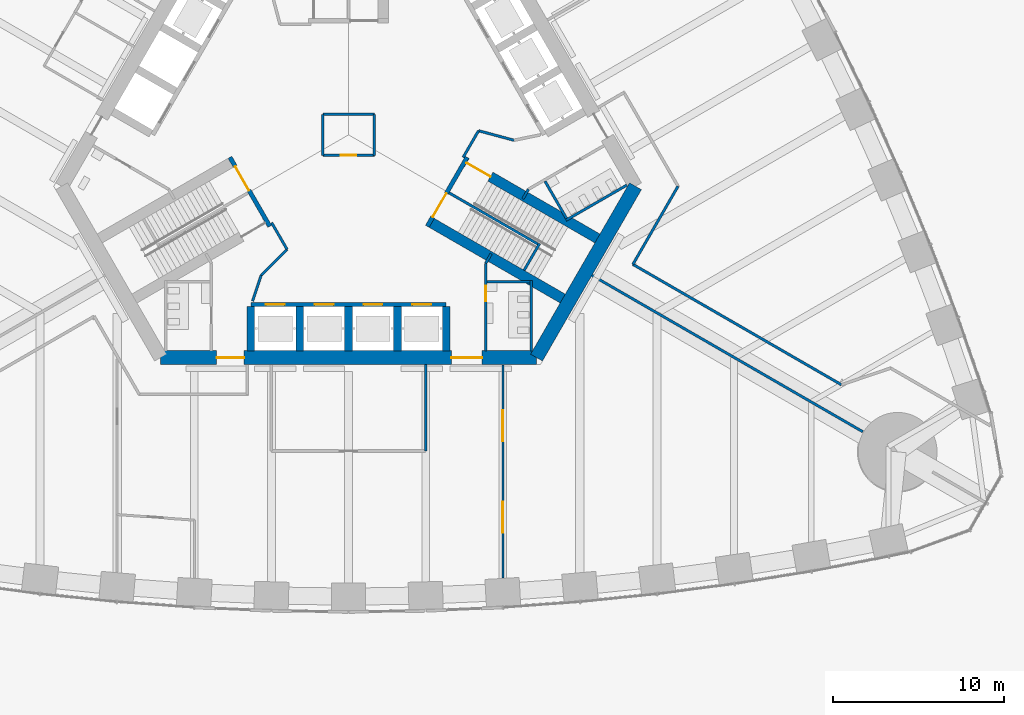
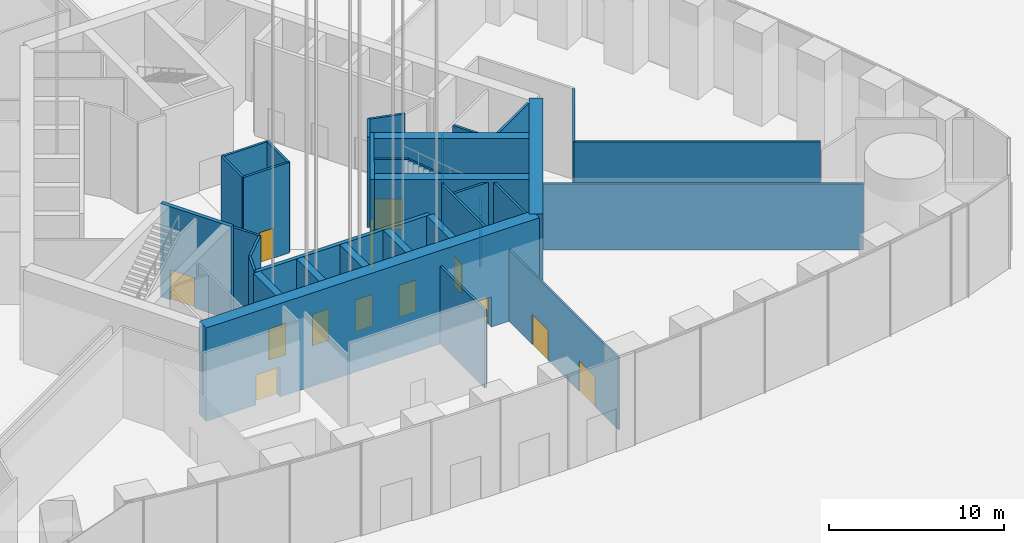
# One storey, part 17 of 43: 35 walls, 13 doors, 13 openings.
"""IFC4 building model written with IfcOpenShell, lengths in metres."""

from ifc_helpers import new_model, si_unit, direction, frame, frame_2d, origin, place, context, subcontext, project, spatial, polyline, rectangle, outline, extrude, material, layer, layer_set, type_object, element, fill, save


model = new_model("IFC4")

# Units and contexts
model_context = context("Model", 3, precision=1e-05, world=origin(), true_north=direction((0.0, 1.0)))
body_context = subcontext(model_context, "Body", "Model", "MODEL_VIEW")
ifc_project = project(units=[si_unit("LENGTHUNIT", "METRE"), si_unit("AREAUNIT", "SQUARE_METRE"), si_unit("VOLUMEUNIT", "CUBIC_METRE"), si_unit("PLANEANGLEUNIT", "RADIAN"), si_unit("MASSUNIT", "GRAM", prefix="KILO")], contexts=[model_context])

# Site, building, storey
site_placement = place(None, origin())
site = spatial("IfcSite", under=ifc_project, at=site_placement, CompositionType="ELEMENT")
building_placement = place(site_placement, origin())
building = spatial("IfcBuilding", under=site, at=building_placement, Name="Trefoil Bronze Tower", CompositionType="ELEMENT")
storey_placement = place(building_placement, origin())
storey = spatial("IfcBuildingStorey", under=building, at=storey_placement, Name="L00", CompositionType="ELEMENT", Elevation=0.0)

# Wall, openings, doors
ifc_material_1 = material(Name="Concrete B80", Category="concrete")
ifc_layer_1 = layer(ifc_material_1, 0.800048828125)
ifc_layer_set_1 = layer_set([ifc_layer_1], Name="Core wall 800")
wall_type_1 = type_object("IfcWallType", Name="Core wall 800", PredefinedType="SHEAR", material=ifc_layer_set_1)
wall_1_placement = place(storey_placement, frame((-10.9697265625, -13.0, 0.0), z_axis=(0.0, 0.0, 1.0), x_axis=(1.0, 0.0, 0.0)))
wall_1 = element("IfcWall", 1, at=wall_1_placement, inside=storey, type_object=wall_type_1, Name="Core long wall 1 L00", PredefinedType="SHEAR", context=body_context, shape_type="SweptSolid", body=[
    extrude(rectangle(XDim=21.939453125, YDim=0.800048828125, at=frame_2d((10.9697265625, 0.0))), origin(), (0.0, 0.0, 1.0), 6.5),
])
opening_1_placement = place(wall_1_placement, frame((16.9697265625, 0.0, 0.0)))
opening_1 = element("IfcOpeningElement", 2, at=opening_1_placement, cuts=wall_1, Name="Opening D6", PredefinedType="OPENING", context=body_context, shape_type="SweptSolid", body=[
    extrude(rectangle(XDim=1.800048828125, YDim=2.10009765625, at=frame_2d((0.89990234375, 1.050048828125))), frame((0.0, 0.409912109375, 0.0), z_axis=(0.0, -1.0, 0.0), x_axis=(1.0, 0.0, 0.0)), (0.0, 0.0, 1.0), 0.820068359375),
])
opening_2_placement = place(wall_1_placement, frame((3.269775390625, 0.0, 0.0)))
opening_2 = element("IfcOpeningElement", 3, at=opening_2_placement, cuts=wall_1, Name="Opening D7", PredefinedType="OPENING", context=body_context, shape_type="SweptSolid", body=[
    extrude(rectangle(XDim=1.60009765625, YDim=2.10009765625, at=frame_2d((0.800048828125, 1.050048828125))), frame((0.0, 0.409912109375, 0.0), z_axis=(0.0, -1.0, 0.0), x_axis=(1.0, 0.0, 0.0)), (0.0, 0.0, 1.0), 0.820068359375),
])
ifc_material_2 = material(Name="Steel door", Category="steel")
door_type_1 = type_object("IfcDoorType", Name="Exit passage door 1600", OperationType="DOUBLE_DOOR_SINGLE_SWING", PredefinedType="DOOR", material=ifc_material_2)
door_1_placement = place(opening_2_placement, frame((1.60009765625, 0.0, 0.0), z_axis=(0.0, 0.0, 1.0), x_axis=(-1.0, 0.0, 0.0)))
door_1 = element("IfcDoor", 4, at=door_1_placement, inside=storey, type_object=door_type_1, Name="Exit passage door ST3", OperationType="DOUBLE_DOOR_SINGLE_SWING", OverallHeight=2.10009765625, OverallWidth=1.60009765625, PredefinedType="DOOR", context=body_context, shape_type="SweptSolid", body=[
    extrude(rectangle(XDim=1.60009765625, YDim=2.10009765625, at=frame_2d((0.800048828125, 1.050048828125))), frame((0.0, 0.02490234375, 0.0), z_axis=(0.0, -1.0, 0.0), x_axis=(1.0, 0.0, 0.0)), (0.0, 0.0, 1.0), 0.050048828125),
])
fill(opening_2, door_1)
ifc_material_3 = material(Name="Steel door", Category="steel")
door_type_2 = type_object("IfcDoorType", Name="Lobby door 1800", OperationType="DOUBLE_DOOR_SINGLE_SWING", PredefinedType="DOOR", material=ifc_material_3)
door_2_placement = place(opening_1_placement, frame((1.800048828125, 0.0, 0.0), z_axis=(0.0, 0.0, 1.0), x_axis=(-1.0, 0.0, 0.0)))
door_2 = element("IfcDoor", 5, at=door_2_placement, inside=storey, type_object=door_type_2, Name="Lobby door F1+ L00", OperationType="DOUBLE_DOOR_SINGLE_SWING", OverallHeight=2.10009765625, OverallWidth=1.800048828125, PredefinedType="DOOR", context=body_context, shape_type="SweptSolid", body=[
    extrude(rectangle(XDim=1.800048828125, YDim=2.10009765625, at=frame_2d((0.89990234375, 1.050048828125))), frame((0.0, 0.02490234375, 0.0), z_axis=(0.0, -1.0, 0.0), x_axis=(1.0, 0.0, 0.0)), (0.0, 0.0, 1.0), 0.050048828125),
])
fill(opening_1, door_2)

# Walls
wall_2_placement = place(storey_placement, frame((10.9697265625, -13.0, 0.0), z_axis=(0.0, 0.0, 1.0), x_axis=(0.499995765644, 0.866027848477, 0.0)))
element("IfcWall", 6, at=wall_2_placement, inside=storey, type_object=wall_type_1, Name="Core short wall 1 L00", PredefinedType="SHEAR", context=body_context, shape_type="SweptSolid", body=[
    extrude(rectangle(XDim=11.546875, YDim=0.800048828125, at=frame_2d((5.7734375, 0.0))), origin(), (0.0, 0.0, 1.0), 6.5),
])
ifc_material_4 = material(Name="Gypsum board on steel studs", Category="steel")
ifc_layer_2 = layer(ifc_material_4, 0.14990234375)
ifc_layer_set_2 = layer_set([ifc_layer_2], Name="Fire partition 150")
wall_type_2 = type_object("IfcWallType", Name="Fire partition 150", PredefinedType="PARTITIONING", material=ifc_layer_set_2)
wall_3_placement = place(storey_placement, frame((4.5, -18.449951171875, 0.0), z_axis=(0.0, 0.0, 1.0), x_axis=(0.0, 1.0, 0.0)))
element("IfcWall", 7, at=wall_3_placement, inside=storey, type_object=wall_type_2, Name="Fire command centre wall", PredefinedType="PARTITIONING", context=body_context, shape_type="SweptSolid", body=[
    extrude(rectangle(XDim=5.050048828125, YDim=0.14990234375, at=frame_2d((2.52490234375, 0.0))), origin(), (0.0, 0.0, 1.0), 5.39990234375),
])
wall_4_placement = place(storey_placement, frame((5.867431640625, -3.387451171875, 0.0), z_axis=(0.0, 0.0, 1.0), x_axis=(0.866014108153, -0.500019564097, 0.0)))
element("IfcWall", 8, at=wall_4_placement, inside=storey, type_object=wall_type_2, Name="Basement stair partition ST1", PredefinedType="PARTITIONING", context=body_context, shape_type="SweptSolid", body=[
    extrude(outline(polyline([(0.0, 0.0), (5.974853515625, 0.0), (5.97509765625, 4.013916015625), (1.9658203125, 6.300048828125), (0.0, 6.300048828125), (0.0, 0.0)])), frame((0.0, 0.074951171875, 0.0), z_axis=(0.0, -1.0, 0.0), x_axis=(1.0, 0.0, 0.0)), (0.0, 0.0, 1.0), 0.14990234375),
])
wall_5_placement = place(storey_placement, frame((10.244384765625, -7.906494140625, 0.0), z_axis=(0.0, 0.0, 1.0), x_axis=(0.499961193289, 0.866047807691, 0.0)))
element("IfcWall", 9, at=wall_5_placement, inside=storey, type_object=wall_type_2, Name="Basement stair partition ST1", PredefinedType="PARTITIONING", context=body_context, shape_type="SweptSolid", body=[
    extrude(rectangle(XDim=1.800048828125, YDim=0.14990234375, at=frame_2d((0.89990234375, 0.0))), origin(), (0.0, 0.0, 1.0), 3.57470703125),
])
wall_6_placement = place(storey_placement, frame((6.685791015625, -1.31982421875, 0.0), z_axis=(0.0, 0.0, 1.0), x_axis=(0.500062916607, 0.865989075817, 0.0)))
element("IfcWall", 10, at=wall_6_placement, inside=storey, type_object=wall_type_2, Name="Exit lobby wall ST1", PredefinedType="PARTITIONING", context=body_context, shape_type="SweptSolid", body=[
    extrude(rectangle(XDim=1.800048828125, YDim=0.14990234375, at=frame_2d((0.89990234375, 0.0))), origin(), (0.0, 0.0, 1.0), 6.300048828125),
])
wall_7_placement = place(storey_placement, frame((7.5859375, 0.239013671875, 0.0), z_axis=(0.0, 0.0, 1.0), x_axis=(0.965664233544, -0.259793356447, 0.0)))
element("IfcWall", 11, at=wall_7_placement, inside=storey, type_object=wall_type_2, Name="Exit lobby wall ST1", PredefinedType="PARTITIONING", context=body_context, shape_type="SweptSolid", body=[
    extrude(rectangle(XDim=2.138916015625, YDim=0.14990234375, at=frame_2d((1.0693359375, 0.0))), origin(), (0.0, 0.0, 1.0), 6.300048828125),
])
wall_8_placement = place(storey_placement, frame((19.225830078125, -3.0, 0.0), z_axis=(0.0, 0.0, 1.0), x_axis=(-0.500014132739, -0.86601724409, 0.0)))
element("IfcWall", 12, at=wall_8_placement, inside=storey, type_object=wall_type_2, Name="Exit passage wall ST1", PredefinedType="PARTITIONING", context=body_context, shape_type="SweptSolid", body=[
    extrude(rectangle(XDim=5.264892578125, YDim=0.14990234375, at=frame_2d((2.63232421875, 0.0))), origin(), (0.0, 0.0, 1.0), 6.300048828125),
])
wall_9_placement = place(storey_placement, frame((16.59326171875, -7.5595703125, 0.0), z_axis=(0.0, 0.0, 1.0), x_axis=(0.86602961784, -0.499992700971, 0.0)))
element("IfcWall", 13, at=wall_9_placement, inside=storey, type_object=wall_type_2, Name="Exit passage wall ST1", PredefinedType="PARTITIONING", context=body_context, shape_type="SweptSolid", body=[
    extrude(rectangle(XDim=14.050048828125, YDim=0.14990234375, at=frame_2d((7.02490234375, 0.0))), origin(), (0.0, 0.0, 1.0), 6.300048828125),
])
wall_10_placement = place(storey_placement, frame((-4.48583984375, -5.13037109375, 0.0), z_axis=(0.0, 0.0, 1.0), x_axis=(0.499961193289, -0.866047807691, 0.0)))
element("IfcWall", 14, at=wall_10_placement, inside=storey, type_object=wall_type_2, Name="Exit lobby wall ST3", PredefinedType="PARTITIONING", context=body_context, shape_type="SweptSolid", body=[
    extrude(rectangle(XDim=1.800048828125, YDim=0.14990234375, at=frame_2d((0.89990234375, 0.0))), origin(), (0.0, 0.0, 1.0), 6.300048828125),
])
wall_11_placement = place(storey_placement, frame((-3.5859375, -6.689208984375, 0.0), z_axis=(0.0, 0.0, 1.0), x_axis=(-0.707905319983, -0.706307339577, 0.0)))
element("IfcWall", 15, at=wall_11_placement, inside=storey, type_object=wall_type_2, Name="Exit lobby wall ST3", PredefinedType="PARTITIONING", context=body_context, shape_type="SweptSolid", body=[
    extrude(rectangle(XDim=2.138916015625, YDim=0.14990234375, at=frame_2d((1.0693359375, 0.0))), origin(), (0.0, 0.0, 1.0), 6.300048828125),
])
wall_12_placement = place(storey_placement, frame((-5.10009765625, -8.199951171875, 0.0), z_axis=(0.0, 0.0, 1.0), x_axis=(-0.316227766017, -0.948683298051, 0.0)))
element("IfcWall", 16, at=wall_12_placement, inside=storey, type_object=wall_type_2, Name="Exit lobby wall ST3", PredefinedType="PARTITIONING", context=body_context, shape_type="SweptSolid", body=[
    extrude(rectangle(XDim=1.5810546875, YDim=0.14990234375, at=frame_2d((0.79052734375, 0.0))), origin(), (0.0, 0.0, 1.0), 6.300048828125),
])

# Wall, openings, doors
ifc_material_5 = material(Name="Glazed partition", Category="glass")
ifc_layer_3 = layer(ifc_material_5, 0.1201171875)
ifc_layer_set_3 = layer_set([ifc_layer_3], Name="Glazed partition 120")
wall_type_3 = type_object("IfcWallType", Name="Glazed partition 120", PredefinedType="PARTITIONING", material=ifc_layer_set_3)
wall_13_placement = place(storey_placement, frame((9.0, -13.419921875, 0.0), z_axis=(0.0, 0.0, 1.0), x_axis=(0.0, -1.0, 0.0)))
wall_13 = element("IfcWall", 17, at=wall_13_placement, inside=storey, type_object=wall_type_3, Name="Partition F1 L00", PredefinedType="PARTITIONING", context=body_context, shape_type="SweptSolid", body=[
    extrude(rectangle(XDim=12.434814453125, YDim=0.1201171875, at=frame_2d((6.21728515625, 0.0))), origin(), (0.0, 0.0, 1.0), 5.0),
])
opening_3_placement = place(wall_13_placement, frame((2.64990234375, 0.0, 0.0)))
opening_3 = element("IfcOpeningElement", 18, at=opening_3_placement, cuts=wall_13, Name="Opening D10", PredefinedType="OPENING", context=body_context, shape_type="SweptSolid", body=[
    extrude(rectangle(XDim=1.800048828125, YDim=2.10009765625, at=frame_2d((0.89990234375, 1.050048828125))), frame((0.0, 0.070068359375, 0.0), z_axis=(0.0, -1.0, 0.0), x_axis=(1.0, 0.0, 0.0)), (0.0, 0.0, 1.0), 0.14013671875),
])
opening_4_placement = place(wall_13_placement, frame((8.0, 0.0, 0.0)))
opening_4 = element("IfcOpeningElement", 19, at=opening_4_placement, cuts=wall_13, Name="Opening D10", PredefinedType="OPENING", context=body_context, shape_type="SweptSolid", body=[
    extrude(rectangle(XDim=1.800048828125, YDim=2.10009765625, at=frame_2d((0.89990234375, 1.050048828125))), frame((0.0, 0.070068359375, 0.0), z_axis=(0.0, -1.0, 0.0), x_axis=(1.0, 0.0, 0.0)), (0.0, 0.0, 1.0), 0.14013671875),
])
ifc_material_6 = material(Name="Timber door", Category="wood")
door_type_3 = type_object("IfcDoorType", Name="Double door 1800", OperationType="DOUBLE_DOOR_SINGLE_SWING", PredefinedType="DOOR", material=ifc_material_6)
door_3_placement = place(opening_3_placement, frame((1.800048828125, 0.0, 0.0), z_axis=(0.0, 0.0, 1.0), x_axis=(-1.0, 0.0, 0.0)))
door_3 = element("IfcDoor", 20, at=door_3_placement, inside=storey, type_object=door_type_3, Name="Cafe door F1 L00", OperationType="DOUBLE_DOOR_SINGLE_SWING", OverallHeight=2.10009765625, OverallWidth=1.800048828125, PredefinedType="DOOR", context=body_context, shape_type="SweptSolid", body=[
    extrude(rectangle(XDim=1.800048828125, YDim=2.10009765625, at=frame_2d((0.89990234375, 1.050048828125))), frame((0.0, 0.02490234375, 0.0), z_axis=(0.0, -1.0, 0.0), x_axis=(1.0, 0.0, 0.0)), (0.0, 0.0, 1.0), 0.050048828125),
])
fill(opening_3, door_3)
door_4_placement = place(opening_4_placement, frame((1.800048828125, 0.0, 0.0), z_axis=(0.0, 0.0, 1.0), x_axis=(-1.0, 0.0, 0.0)))
door_4 = element("IfcDoor", 21, at=door_4_placement, inside=storey, type_object=door_type_3, Name="Cafe door F1 L00", OperationType="DOUBLE_DOOR_SINGLE_SWING", OverallHeight=2.10009765625, OverallWidth=1.800048828125, PredefinedType="DOOR", context=body_context, shape_type="SweptSolid", body=[
    extrude(rectangle(XDim=1.800048828125, YDim=2.10009765625, at=frame_2d((0.89990234375, 1.050048828125))), frame((0.0, 0.02490234375, 0.0), z_axis=(0.0, -1.0, 0.0), x_axis=(1.0, 0.0, 0.0)), (0.0, 0.0, 1.0), 0.050048828125),
])
fill(opening_4, door_4)

# Walls
ifc_material_7 = material(Name="Concrete B80", Category="concrete")
ifc_layer_4 = layer(ifc_material_7, 0.449951171875)
ifc_layer_set_4 = layer_set([ifc_layer_4], Name="Outrigger shaft wall 450")
wall_type_4 = type_object("IfcWallType", Name="Outrigger shaft wall 450", PredefinedType="SHEAR", material=ifc_layer_set_4)
for number, where, z_axis, x_axis, name in (
    (22, (-5.699951171875, -10.02490234375, 0.0), (0.0, 0.0, 1.0), (0.0, -1.0, 0.0), "Lift shaft side wall A0 L00"),
    (23, (-2.85009765625, -10.02490234375, 0.0), (0.0, 0.0, 1.0), (0.0, -1.0, 0.0), "Lift shaft side wall A1 L00"),
    (24, (0.0, -10.02490234375, 0.0), (0.0, 0.0, 1.0), (0.0, -1.0, 0.0), "Lift shaft side wall A2 L00"),
    (25, (2.85009765625, -10.02490234375, 0.0), (0.0, 0.0, 1.0), (0.0, -1.0, 0.0), "Lift shaft side wall A3 L00"),
    (26, (5.699951171875, -10.02490234375, 0.0), (0.0, 0.0, 1.0), (0.0, -1.0, 0.0), "Lift shaft side wall A4 L00"),
):
    element("IfcWall", number, at=place(storey_placement, frame(where, z_axis=z_axis, x_axis=x_axis)), inside=storey, type_object=wall_type_4, Name=name, PredefinedType="SHEAR", context=body_context, shape_type="SweptSolid", body=[
        extrude(rectangle(XDim=2.5751953125, YDim=0.449951171875, at=frame_2d((1.28759765625, 0.0))), origin(), (0.0, 0.0, 1.0), 6.5),
    ])

# Wall, opening, door
ifc_material_8 = material(Name="Gypsum board on steel studs", Category="steel")
ifc_layer_5 = layer(ifc_material_8, 0.14990234375)
ifc_layer_set_5 = layer_set([ifc_layer_5], Name="Partition 150")
wall_type_5 = type_object("IfcWallType", Name="Partition 150", PredefinedType="PARTITIONING", material=ifc_layer_set_5)
wall_14_placement = place(storey_placement, frame((8.0, -7.5, 0.0), z_axis=(0.0, 0.0, 1.0), x_axis=(0.0, -1.0, 0.0)))
wall_14 = element("IfcWall", 27, at=wall_14_placement, inside=storey, type_object=wall_type_5, Name="Passage wall F1+ L00", PredefinedType="PARTITIONING", context=body_context, shape_type="SweptSolid", body=[
    extrude(rectangle(XDim=5.10009765625, YDim=0.14990234375, at=frame_2d((2.550048828125, 0.0))), origin(), (0.0, 0.0, 1.0), 6.300048828125),
])
opening_5_placement = place(wall_14_placement, frame((1.300048828125, 0.0, 0.0)))
opening_5 = element("IfcOpeningElement", 28, at=opening_5_placement, cuts=wall_14, Name="Opening D3", PredefinedType="OPENING", context=body_context, shape_type="SweptSolid", body=[
    extrude(rectangle(XDim=0.89990234375, YDim=2.10009765625, at=frame_2d((0.449951171875, 1.050048828125))), frame((0.0, 0.0849609375, 0.0), z_axis=(0.0, -1.0, 0.0), x_axis=(1.0, 0.0, 0.0)), (0.0, 0.0, 1.0), 0.169921875),
])
ifc_material_9 = material(Name="Timber door", Category="wood")
door_type_4 = type_object("IfcDoorType", Name="WC door 900", OperationType="SINGLE_SWING_LEFT", PredefinedType="DOOR", material=ifc_material_9)
door_5_placement = place(opening_5_placement, origin())
door_5 = element("IfcDoor", 29, at=door_5_placement, inside=storey, type_object=door_type_4, Name="WC (men) door L00", OperationType="SINGLE_SWING_LEFT", OverallHeight=2.10009765625, OverallWidth=0.89990234375, PredefinedType="DOOR", context=body_context, shape_type="SweptSolid", body=[
    extrude(rectangle(XDim=0.89990234375, YDim=2.10009765625, at=frame_2d((0.449951171875, 1.050048828125))), frame((0.0, 0.02490234375, 0.0), z_axis=(0.0, -1.0, 0.0), x_axis=(1.0, 0.0, 0.0)), (0.0, 0.0, 1.0), 0.050048828125),
])
fill(opening_5, door_5)

# Walls
for number, where, z_axis, x_axis, name in (
    (30, (8.0, -7.5, 0.0), (0.0, 0.0, 1.0), (0.499842556608, 0.866116284689, 0.0), "WC wall ST1-1 L00"),
    (31, (10.4951171875, -3.17822265625, 0.0), (0.0, 0.0, 1.0), (-0.499842556608, -0.866116284689, 0.0), "WC wall ST1+1 L00"),
):
    element("IfcWall", number, at=place(storey_placement, frame(where, z_axis=z_axis, x_axis=x_axis)), inside=storey, type_object=wall_type_5, Name=name, PredefinedType="PARTITIONING", context=body_context, shape_type="SweptSolid", body=[
        extrude(rectangle(XDim=0.645263671875, YDim=0.14990234375, at=frame_2d((0.32275390625, 0.0))), origin(), (0.0, 0.0, 1.0), 6.300048828125),
    ])
wall_15_placement = place(storey_placement, frame((10.659912109375, -8.5, 0.0), z_axis=(0.0, 0.0, 1.0), x_axis=(0.0, -1.0, 0.0)))
element("IfcWall", 32, at=wall_15_placement, inside=storey, type_object=wall_type_5, Name="WC partition WC (men) L00", PredefinedType="PARTITIONING", context=body_context, shape_type="SweptSolid", body=[
    extrude(rectangle(XDim=4.10009765625, YDim=0.14990234375, at=frame_2d((2.050048828125, 0.0))), origin(), (0.0, 0.0, 1.0), 6.300048828125),
])
wall_16_placement = place(storey_placement, frame((8.074951171875, -8.574951171875, 0.0), z_axis=(0.0, 0.0, 1.0), x_axis=(1.0, 0.0, 0.0)))
element("IfcWall", 33, at=wall_16_placement, inside=storey, type_object=wall_type_5, Name="WC partition WC (men) L00", PredefinedType="PARTITIONING", context=body_context, shape_type="SweptSolid", body=[
    extrude(rectangle(XDim=2.510009765625, YDim=0.14990234375, at=frame_2d((1.2548828125, 0.0))), origin(), (0.0, 0.0, 1.0), 6.300048828125),
])
wall_17_placement = place(storey_placement, frame((12.691162109375, -4.98193359375, 0.0), z_axis=(0.0, 0.0, 1.0), x_axis=(0.8660249478, 0.500000789788, 0.0)))
element("IfcWall", 34, at=wall_17_placement, inside=storey, type_object=wall_type_5, Name="WC partition WC (women) L00", PredefinedType="PARTITIONING", context=body_context, shape_type="SweptSolid", body=[
    extrude(rectangle(XDim=4.10009765625, YDim=0.14990234375, at=frame_2d((2.050048828125, 0.0))), origin(), (0.0, 0.0, 1.0), 6.300048828125),
])
wall_18_placement = place(storey_placement, frame((11.463623046875, -2.70556640625, 0.0), z_axis=(0.0, 0.0, 1.0), x_axis=(0.50001992892, -0.866013897511, 0.0)))
element("IfcWall", 35, at=wall_18_placement, inside=storey, type_object=wall_type_5, Name="WC partition WC (women) L00", PredefinedType="PARTITIONING", context=body_context, shape_type="SweptSolid", body=[
    extrude(rectangle(XDim=2.51025390625, YDim=0.14990234375, at=frame_2d((1.255126953125, 0.0))), origin(), (0.0, 0.0, 1.0), 6.300048828125),
])
ifc_material_10 = material(Name="Gypsum board on steel studs", Category="steel")
ifc_layer_6 = layer(ifc_material_10, 0.14990234375)
ifc_layer_set_6 = layer_set([ifc_layer_6], Name="Party wall 150")
wall_type_6 = type_object("IfcWallType", Name="Party wall 150", PredefinedType="PARTITIONING", material=ifc_layer_set_6)
wall_19_placement = place(storey_placement, frame((14.202880859375, -8.199951171875, 0.0), z_axis=(0.0, 0.0, 1.0), x_axis=(0.866024965723, -0.500000758745, 0.0)))
element("IfcWall", 36, at=wall_19_placement, inside=storey, type_object=wall_type_6, Name="Party wall K1 L00", PredefinedType="PARTITIONING", context=body_context, shape_type="SweptSolid", body=[
    extrude(rectangle(XDim=18.25, YDim=0.14990234375, at=frame_2d((9.125, 0.0))), origin(), (0.0, 0.0, 1.0), 4.60009765625),
])

# Wall, opening, door
ifc_material_11 = material(Name="Gypsum board on steel studs", Category="steel")
ifc_layer_7 = layer(ifc_material_11, 0.14990234375)
ifc_layer_set_7 = layer_set([ifc_layer_7], Name="Riser wall 150")
wall_type_7 = type_object("IfcWallType", Name="Riser wall 150", PredefinedType="PARTITIONING", material=ifc_layer_set_7)
wall_20_placement = place(storey_placement, frame((-1.5, -1.199951171875, 0.0), z_axis=(0.0, 0.0, 1.0), x_axis=(1.0, 0.0, 0.0)))
wall_20 = element("IfcWall", 37, at=wall_20_placement, inside=storey, type_object=wall_type_7, Name="Riser wall L00", PredefinedType="PARTITIONING", context=body_context, shape_type="SweptSolid", body=[
    extrude(rectangle(XDim=3.0, YDim=0.14990234375, at=frame_2d((1.5, 0.0))), origin(), (0.0, 0.0, 1.0), 6.300048828125),
])
opening_6_placement = place(wall_20_placement, frame((1.050048828125, 0.0, 0.0)))
opening_6 = element("IfcOpeningElement", 38, at=opening_6_placement, cuts=wall_20, Name="Opening D4", PredefinedType="OPENING", context=body_context, shape_type="SweptSolid", body=[
    extrude(rectangle(XDim=0.89990234375, YDim=2.10009765625, at=frame_2d((0.449951171875, 1.050048828125))), frame((0.0, 0.0849609375, 0.0), z_axis=(0.0, -1.0, 0.0), x_axis=(1.0, 0.0, 0.0)), (0.0, 0.0, 1.0), 0.169921875),
])
ifc_material_12 = material(Name="Steel door", Category="steel")
door_type_5 = type_object("IfcDoorType", Name="Riser door 900", OperationType="SINGLE_SWING_LEFT", PredefinedType="DOOR", material=ifc_material_12)
door_6_placement = place(opening_6_placement, frame((0.89990234375, 0.0, 0.0), z_axis=(0.0, 0.0, 1.0), x_axis=(-1.0, 0.0, 0.0)))
door_6 = element("IfcDoor", 39, at=door_6_placement, inside=storey, type_object=door_type_5, Name="Riser door L00", OperationType="SINGLE_SWING_LEFT", OverallHeight=2.10009765625, OverallWidth=0.89990234375, PredefinedType="DOOR", context=body_context, shape_type="SweptSolid", body=[
    extrude(rectangle(XDim=0.89990234375, YDim=2.10009765625, at=frame_2d((0.449951171875, 1.050048828125))), frame((0.0, 0.02490234375, 0.0), z_axis=(0.0, -1.0, 0.0), x_axis=(1.0, 0.0, 0.0)), (0.0, 0.0, 1.0), 0.050048828125),
])
fill(opening_6, door_6)

# Walls
wall_21_placement = place(storey_placement, frame((1.5, -1.199951171875, 0.0), z_axis=(0.0, 0.0, 1.0), x_axis=(0.0, 1.0, 0.0)))
element("IfcWall", 40, at=wall_21_placement, inside=storey, type_object=wall_type_7, Name="Riser wall L00", PredefinedType="PARTITIONING", context=body_context, shape_type="SweptSolid", body=[
    extrude(rectangle(XDim=2.39990234375, YDim=0.14990234375, at=frame_2d((1.199951171875, 0.0))), origin(), (0.0, 0.0, 1.0), 6.300048828125),
])
wall_22_placement = place(storey_placement, frame((1.5, 1.199951171875, 0.0), z_axis=(0.0, 0.0, 1.0), x_axis=(-1.0, 0.0, 0.0)))
element("IfcWall", 41, at=wall_22_placement, inside=storey, type_object=wall_type_7, Name="Riser wall L00", PredefinedType="PARTITIONING", context=body_context, shape_type="SweptSolid", body=[
    extrude(rectangle(XDim=3.0, YDim=0.14990234375, at=frame_2d((1.5, 0.0))), origin(), (0.0, 0.0, 1.0), 6.300048828125),
])
wall_23_placement = place(storey_placement, frame((-1.5, 1.199951171875, 0.0), z_axis=(0.0, 0.0, 1.0), x_axis=(0.0, -1.0, 0.0)))
element("IfcWall", 42, at=wall_23_placement, inside=storey, type_object=wall_type_7, Name="Riser wall L00", PredefinedType="PARTITIONING", context=body_context, shape_type="SweptSolid", body=[
    extrude(rectangle(XDim=2.39990234375, YDim=0.14990234375, at=frame_2d((1.199951171875, 0.0))), origin(), (0.0, 0.0, 1.0), 6.300048828125),
])

# Wall, openings, doors
ifc_material_13 = material(Name="Concrete B80", Category="concrete")
ifc_layer_8 = layer(ifc_material_13, 0.25)
ifc_layer_set_8 = layer_set([ifc_layer_8], Name="Shaft wall 250")
wall_type_8 = type_object("IfcWallType", Name="Shaft wall 250", PredefinedType="SHEAR", material=ifc_layer_set_8)
wall_24_placement = place(storey_placement, frame((-5.699951171875, -9.89990234375, 0.0), z_axis=(0.0, 0.0, 1.0), x_axis=(1.0, 0.0, 0.0)))
wall_24 = element("IfcWall", 43, at=wall_24_placement, inside=storey, type_object=wall_type_8, Name="Lift shaft front wall A L00", PredefinedType="SHEAR", context=body_context, shape_type="SweptSolid", body=[
    extrude(rectangle(XDim=11.39990234375, YDim=0.25, at=frame_2d((5.699951171875, 0.0))), origin(), (0.0, 0.0, 1.0), 6.5),
])
opening_7_placement = place(wall_24_placement, frame((0.875, 0.0, 0.0)))
opening_7 = element("IfcOpeningElement", 44, at=opening_7_placement, cuts=wall_24, Name="Opening LD-P11", PredefinedType="OPENING", context=body_context, shape_type="SweptSolid", body=[
    extrude(rectangle(XDim=1.10009765625, YDim=2.199951171875, at=frame_2d((0.550048828125, 1.10009765625))), frame((0.0, 0.135009765625, 0.0), z_axis=(0.0, -1.0, 0.0), x_axis=(1.0, 0.0, 0.0)), (0.0, 0.0, 1.0), 0.27001953125),
])
opening_8_placement = place(wall_24_placement, frame((3.72509765625, 0.0, 0.0)))
opening_8 = element("IfcOpeningElement", 45, at=opening_8_placement, cuts=wall_24, Name="Opening LD-P12", PredefinedType="OPENING", context=body_context, shape_type="SweptSolid", body=[
    extrude(rectangle(XDim=1.10009765625, YDim=2.199951171875, at=frame_2d((0.550048828125, 1.10009765625))), frame((0.0, 0.135009765625, 0.0), z_axis=(0.0, -1.0, 0.0), x_axis=(1.0, 0.0, 0.0)), (0.0, 0.0, 1.0), 0.27001953125),
])
opening_9_placement = place(wall_24_placement, frame((6.574951171875, 0.0, 0.0)))
opening_9 = element("IfcOpeningElement", 46, at=opening_9_placement, cuts=wall_24, Name="Opening LD-P13", PredefinedType="OPENING", context=body_context, shape_type="SweptSolid", body=[
    extrude(rectangle(XDim=1.10009765625, YDim=2.199951171875, at=frame_2d((0.550048828125, 1.10009765625))), frame((0.0, 0.135009765625, 0.0), z_axis=(0.0, -1.0, 0.0), x_axis=(1.0, 0.0, 0.0)), (0.0, 0.0, 1.0), 0.27001953125),
])
opening_10_placement = place(wall_24_placement, frame((9.425048828125, 0.0, 0.0)))
opening_10 = element("IfcOpeningElement", 47, at=opening_10_placement, cuts=wall_24, Name="Opening LD-P14", PredefinedType="OPENING", context=body_context, shape_type="SweptSolid", body=[
    extrude(rectangle(XDim=1.10009765625, YDim=2.199951171875, at=frame_2d((0.550048828125, 1.10009765625))), frame((0.0, 0.135009765625, 0.0), z_axis=(0.0, -1.0, 0.0), x_axis=(1.0, 0.0, 0.0)), (0.0, 0.0, 1.0), 0.27001953125),
])
ifc_material_14 = material(Name="Steel door", Category="steel")
door_type_6 = type_object("IfcDoorType", Name="Lift landing door 1100", OperationType="DOUBLE_DOOR_SLIDING", PredefinedType="DOOR", material=ifc_material_14)
door_7_placement = place(opening_7_placement, origin())
door_7 = element("IfcDoor", 48, at=door_7_placement, inside=storey, type_object=door_type_6, Name="Lift P11 landing door L00", OperationType="DOUBLE_DOOR_SLIDING", OverallHeight=2.199951171875, OverallWidth=1.10009765625, PredefinedType="DOOR", context=body_context, shape_type="SweptSolid", body=[
    extrude(rectangle(XDim=1.10009765625, YDim=2.199951171875, at=frame_2d((0.550048828125, 1.10009765625))), frame((0.0, 0.02490234375, 0.0), z_axis=(0.0, -1.0, 0.0), x_axis=(1.0, 0.0, 0.0)), (0.0, 0.0, 1.0), 0.050048828125),
])
fill(opening_7, door_7)
door_8_placement = place(opening_8_placement, origin())
door_8 = element("IfcDoor", 49, at=door_8_placement, inside=storey, type_object=door_type_6, Name="Lift P12 landing door L00", OperationType="DOUBLE_DOOR_SLIDING", OverallHeight=2.199951171875, OverallWidth=1.10009765625, PredefinedType="DOOR", context=body_context, shape_type="SweptSolid", body=[
    extrude(rectangle(XDim=1.10009765625, YDim=2.199951171875, at=frame_2d((0.550048828125, 1.10009765625))), frame((0.0, 0.02490234375, 0.0), z_axis=(0.0, -1.0, 0.0), x_axis=(1.0, 0.0, 0.0)), (0.0, 0.0, 1.0), 0.050048828125),
])
fill(opening_8, door_8)
door_9_placement = place(opening_9_placement, origin())
door_9 = element("IfcDoor", 50, at=door_9_placement, inside=storey, type_object=door_type_6, Name="Lift P13 landing door L00", OperationType="DOUBLE_DOOR_SLIDING", OverallHeight=2.199951171875, OverallWidth=1.10009765625, PredefinedType="DOOR", context=body_context, shape_type="SweptSolid", body=[
    extrude(rectangle(XDim=1.10009765625, YDim=2.199951171875, at=frame_2d((0.550048828125, 1.10009765625))), frame((0.0, 0.02490234375, 0.0), z_axis=(0.0, -1.0, 0.0), x_axis=(1.0, 0.0, 0.0)), (0.0, 0.0, 1.0), 0.050048828125),
])
fill(opening_9, door_9)
door_10_placement = place(opening_10_placement, origin())
door_10 = element("IfcDoor", 51, at=door_10_placement, inside=storey, type_object=door_type_6, Name="Lift P14 landing door L00", OperationType="DOUBLE_DOOR_SLIDING", OverallHeight=2.199951171875, OverallWidth=1.10009765625, PredefinedType="DOOR", context=body_context, shape_type="SweptSolid", body=[
    extrude(rectangle(XDim=1.10009765625, YDim=2.199951171875, at=frame_2d((0.550048828125, 1.10009765625))), frame((0.0, 0.02490234375, 0.0), z_axis=(0.0, -1.0, 0.0), x_axis=(1.0, 0.0, 0.0)), (0.0, 0.0, 1.0), 0.050048828125),
])
fill(opening_10, door_10)

# Wall, opening, door
wall_25_placement = place(storey_placement, frame((4.5966796875, -5.338623046875, 0.0), z_axis=(0.0, 0.0, 1.0), x_axis=(0.499984536904, 0.866034331223, 0.0)))
wall_25 = element("IfcWall", 52, at=wall_25_placement, inside=storey, type_object=wall_type_8, Name="Stair end wall ST1 L00", PredefinedType="SHEAR", context=body_context, shape_type="SweptSolid", body=[
    extrude(rectangle(XDim=4.650146484375, YDim=0.25, at=frame_2d((2.3251953125, 0.0))), origin(), (0.0, 0.0, 1.0), 6.5),
])
opening_11_placement = place(wall_25_placement, frame((0.625, 0.0, 0.0)))
opening_11 = element("IfcOpeningElement", 53, at=opening_11_placement, cuts=wall_25, Name="Opening D1", PredefinedType="OPENING", context=body_context, shape_type="SweptSolid", body=[
    extrude(rectangle(XDim=1.60009765625, YDim=2.10009765625, at=frame_2d((0.800048828125, 1.050048828125))), frame((0.0, 0.135009765625, 0.0), z_axis=(0.0, -1.0, 0.0), x_axis=(1.0, 0.0, 0.0)), (0.0, 0.0, 1.0), 0.27001953125),
])
ifc_material_15 = material(Name="Steel door", Category="steel")
door_type_7 = type_object("IfcDoorType", Name="Stair door 1600", OperationType="DOUBLE_DOOR_SINGLE_SWING", PredefinedType="DOOR", material=ifc_material_15)
door_11_placement = place(opening_11_placement, frame((1.60009765625, 0.0, 0.0), z_axis=(0.0, 0.0, 1.0), x_axis=(-1.0, 0.0, 0.0)))
door_11 = element("IfcDoor", 54, at=door_11_placement, inside=storey, type_object=door_type_7, Name="Basement stair door ST1", OperationType="DOUBLE_DOOR_SINGLE_SWING", OverallHeight=2.10009765625, OverallWidth=1.60009765625, PredefinedType="DOOR", context=body_context, shape_type="SweptSolid", body=[
    extrude(rectangle(XDim=1.60009765625, YDim=2.10009765625, at=frame_2d((0.800048828125, 1.050048828125))), frame((0.0, 0.02490234375, 0.0), z_axis=(0.0, -1.0, 0.0), x_axis=(1.0, 0.0, 0.0)), (0.0, 0.0, 1.0), 0.050048828125),
])
fill(opening_11, door_11)

wall_26_placement = place(storey_placement, frame((-6.921630859375, -1.3115234375, 0.0), z_axis=(0.0, 0.0, 1.0), x_axis=(0.499984536904, -0.866034331223, 0.0)))
wall_26 = element("IfcWall", 55, at=wall_26_placement, inside=storey, type_object=wall_type_8, Name="Stair end wall ST3 L00", PredefinedType="SHEAR", context=body_context, shape_type="SweptSolid", body=[
    extrude(rectangle(XDim=4.650146484375, YDim=0.25, at=frame_2d((2.3251953125, 0.0))), origin(), (0.0, 0.0, 1.0), 6.5),
])
opening_12_placement = place(wall_26_placement, frame((0.625, 0.0, 0.0)))
opening_12 = element("IfcOpeningElement", 56, at=opening_12_placement, cuts=wall_26, Name="Opening D1", PredefinedType="OPENING", context=body_context, shape_type="SweptSolid", body=[
    extrude(rectangle(XDim=1.60009765625, YDim=2.10009765625, at=frame_2d((0.800048828125, 1.050048828125))), frame((0.0, 0.135009765625, 0.0), z_axis=(0.0, -1.0, 0.0), x_axis=(1.0, 0.0, 0.0)), (0.0, 0.0, 1.0), 0.27001953125),
])
door_12_placement = place(opening_12_placement, frame((1.60009765625, 0.0, 0.0), z_axis=(0.0, 0.0, 1.0), x_axis=(-1.0, 0.0, 0.0)))
door_12 = element("IfcDoor", 57, at=door_12_placement, inside=storey, type_object=door_type_7, Name="Basement stair door ST3", OperationType="DOUBLE_DOOR_SINGLE_SWING", OverallHeight=2.10009765625, OverallWidth=1.60009765625, PredefinedType="DOOR", context=body_context, shape_type="SweptSolid", body=[
    extrude(rectangle(XDim=1.60009765625, YDim=2.10009765625, at=frame_2d((0.800048828125, 1.050048828125))), frame((0.0, 0.02490234375, 0.0), z_axis=(0.0, -1.0, 0.0), x_axis=(1.0, 0.0, 0.0)), (0.0, 0.0, 1.0), 0.050048828125),
])
fill(opening_12, door_12)

# Wall
ifc_material_16 = material(Name="Concrete B80", Category="concrete")
ifc_layer_9 = layer(ifc_material_16, 0.60009765625)
ifc_layer_set_9 = layer_set([ifc_layer_9], Name="Stair wall 600")
wall_type_9 = type_object("IfcWallType", Name="Stair wall 600", PredefinedType="SHEAR", material=ifc_layer_set_9)
wall_27_placement = place(storey_placement, frame((4.638427734375, -5.01611328125, 0.0), z_axis=(0.0, 0.0, 1.0), x_axis=(0.866019375473, -0.500010441196, 0.0)))
element("IfcWall", 58, at=wall_27_placement, inside=storey, type_object=wall_type_9, Name="Stair wall ST1 L00", PredefinedType="SHEAR", context=body_context, shape_type="SweptSolid", body=[
    extrude(rectangle(XDim=9.074951171875, YDim=0.60009765625, at=frame_2d((4.53759765625, 0.0))), origin(), (0.0, 0.0, 1.0), 6.5),
])

# Wall, opening, door
wall_28_placement = place(storey_placement, frame((6.663330078125, -1.5087890625, 0.0), z_axis=(0.0, 0.0, 1.0), x_axis=(0.866019375473, -0.500010441196, 0.0)))
wall_28 = element("IfcWall", 59, at=wall_28_placement, inside=storey, type_object=wall_type_9, Name="Stair wall ST1 L00", PredefinedType="SHEAR", context=body_context, shape_type="SweptSolid", body=[
    extrude(rectangle(XDim=9.074951171875, YDim=0.60009765625, at=frame_2d((4.53759765625, 0.0))), origin(), (0.0, 0.0, 1.0), 6.5),
])
opening_13_placement = place(wall_28_placement, frame((0.264892578125, 0.0, 0.0)))
opening_13 = element("IfcOpeningElement", 60, at=opening_13_placement, cuts=wall_28, Name="Opening D1", PredefinedType="OPENING", context=body_context, shape_type="SweptSolid", body=[
    extrude(rectangle(XDim=1.60009765625, YDim=2.10009765625, at=frame_2d((0.800048828125, 1.050048828125))), frame((0.0, 0.31005859375, 0.0), z_axis=(0.0, -1.0, 0.0), x_axis=(1.0, 0.0, 0.0)), (0.0, 0.0, 1.0), 0.6201171875),
])
door_13_placement = place(opening_13_placement, origin())
door_13 = element("IfcDoor", 61, at=door_13_placement, inside=storey, type_object=door_type_7, Name="Stair exit door ST1", OperationType="DOUBLE_DOOR_SINGLE_SWING", OverallHeight=2.10009765625, OverallWidth=1.60009765625, PredefinedType="DOOR", context=body_context, shape_type="SweptSolid", body=[
    extrude(rectangle(XDim=1.60009765625, YDim=2.10009765625, at=frame_2d((0.800048828125, 1.050048828125))), frame((0.0, 0.02490234375, 0.0), z_axis=(0.0, -1.0, 0.0), x_axis=(1.0, 0.0, 0.0)), (0.0, 0.0, 1.0), 0.050048828125),
])
fill(opening_13, door_13)

save(model, "model.ifc")
